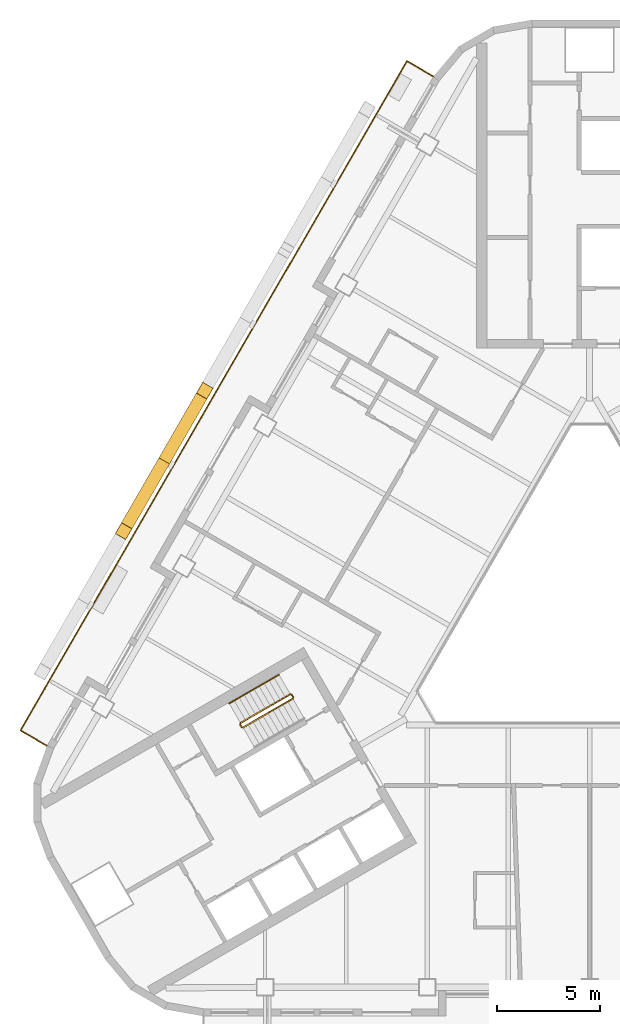
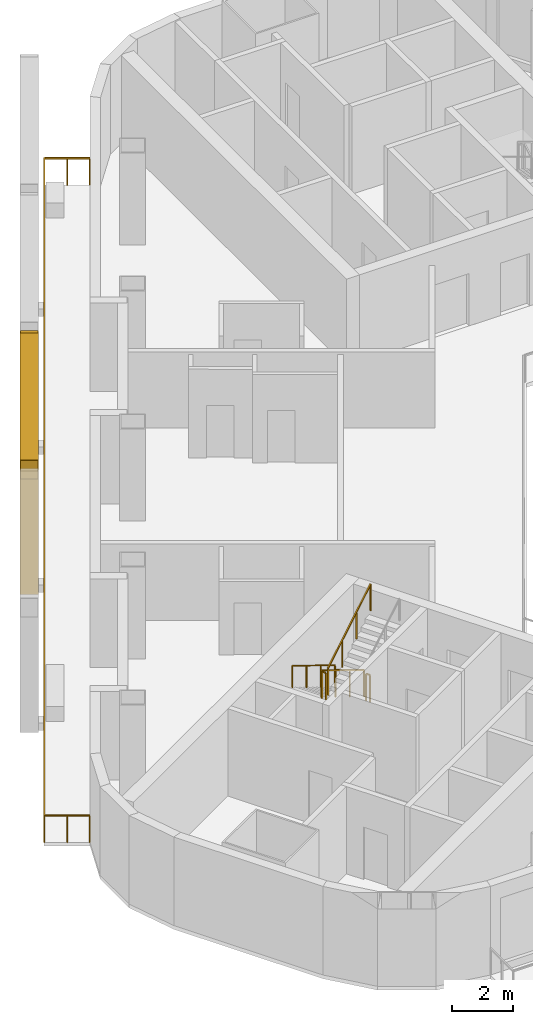
# One storey, part 9 of 13: 6 railings, 2 shading devices.
"""IFC4 building model written with IfcOpenShell, lengths in metres."""

from ifc_helpers import new_model, si_unit, direction, frame, origin, origin_2d, place, context, subcontext, project, spatial, rectangle, hollow_rectangle, circle, extrude, material, material_profile, profile_set, type_object, element, save


model = new_model("IFC4")

# Units and contexts
model_context = context("Model", 3, precision=1e-05, world=origin(), true_north=direction((0.0, 1.0)))
body_context = subcontext(model_context, "Body", "Model", "MODEL_VIEW")
ifc_project = project(units=[si_unit("LENGTHUNIT", "METRE"), si_unit("AREAUNIT", "SQUARE_METRE"), si_unit("VOLUMEUNIT", "CUBIC_METRE"), si_unit("PLANEANGLEUNIT", "RADIAN"), si_unit("MASSUNIT", "GRAM", prefix="KILO")], contexts=[model_context])

# Site, building, storey
site_placement = place(None, origin())
site = spatial("IfcSite", under=ifc_project, at=site_placement, CompositionType="ELEMENT")
building_placement = place(site_placement, origin())
building = spatial("IfcBuilding", under=site, at=building_placement, Name="Apuvela Tower Hotel", CompositionType="ELEMENT")
storey_placement = place(building_placement, frame((0.0, 0.0, 183.60009765625)))
storey = spatial("IfcBuildingStorey", under=building, at=storey_placement, Name="L44", CompositionType="ELEMENT", Elevation=183.60009765625)

# Railings
ifc_material_1 = material(Name="Steel S275 balustrade", Category="steel")
railing_type_1 = type_object("IfcRailingType", Name="COR-GUARD-1100", PredefinedType="GUARDRAIL", material=ifc_material_1)
railing_1_placement = place(storey_placement, frame((-14.569091796875, -3.9658203125, 0.16796875)))
element("IfcRailing", 1, at=railing_1_placement, inside=storey, type_object=railing_type_1, Name="L44 ST2 stair guard 1", PredefinedType="GUARDRAIL", context=body_context, shape_type="SweptSolid", body=[
    extrude(rectangle(XDim=0.048095703125, YDim=0.048095703125, at=origin_2d()), frame((0.0, 0.0, 1.076171875), z_axis=(-0.742390482028, -0.42860119049, 0.514934356695), x_axis=(0.49998411664, -0.866034573852, 0.0)), (0.0, 0.0, 1.0), 3.26611328125),
    extrude(rectangle(XDim=0.0419921875, YDim=0.0419921875, at=origin_2d()), origin(), (0.0, 0.0, 1.0), 1.052001953125),
    extrude(rectangle(XDim=0.0419921875, YDim=0.0419921875, at=origin_2d()), frame((-0.808349609375, -0.466552734375, 0.560546875)), (0.0, 0.0, 1.0), 1.052001953125),
    extrude(rectangle(XDim=0.0419921875, YDim=0.0419921875, at=origin_2d()), frame((-1.616455078125, -0.933349609375, 1.121337890625)), (0.0, 0.0, 1.0), 1.052001953125),
    extrude(rectangle(XDim=0.0419921875, YDim=0.0419921875, at=origin_2d()), frame((-2.4248046875, -1.39990234375, 1.681884765625)), (0.0, 0.0, 1.0), 1.052001953125),
])
railing_2_placement = place(storey_placement, frame((-17.01220703125, -5.43408203125, 1.849853515625)))
element("IfcRailing", 2, at=railing_2_placement, inside=storey, type_object=railing_type_1, Name="L44 ST2 stair guard 2", PredefinedType="GUARDRAIL", context=body_context, shape_type="SweptSolid", body=[
    extrude(rectangle(XDim=0.048095703125, YDim=0.048095703125, at=origin_2d()), frame((0.0, 0.0, 1.076171875), z_axis=(0.499816412211, -0.866131372301, 0.0), x_axis=(0.866131372301, 0.499816412211, 0.0)), (0.0, 0.0, 1.0), 0.14990234375),
    extrude(rectangle(XDim=0.0419921875, YDim=0.0419921875, at=origin_2d()), origin(), (0.0, 0.0, 1.0), 1.052001953125),
    extrude(rectangle(XDim=0.0419921875, YDim=0.0419921875, at=origin_2d()), frame((0.074951171875, -0.1298828125, 0.0)), (0.0, 0.0, 1.0), 1.052001953125),
])
railing_3_placement = place(storey_placement, frame((-16.868896484375, -5.582275390625, 2.01806640625)))
element("IfcRailing", 3, at=railing_3_placement, inside=storey, type_object=railing_type_1, Name="L44 ST2 stair guard 3", PredefinedType="GUARDRAIL", context=body_context, shape_type="SweptSolid", body=[
    extrude(rectangle(XDim=0.048095703125, YDim=0.048095703125, at=origin_2d()), frame((0.0, 0.0, 1.076171875), z_axis=(0.742390482028, 0.42860119049, 0.514934356695), x_axis=(-0.49998411664, 0.866034573852, 0.0)), (0.0, 0.0, 1.0), 3.26611328125),
    extrude(rectangle(XDim=0.0419921875, YDim=0.0419921875, at=origin_2d()), origin(), (0.0, 0.0, 1.0), 1.052001953125),
    extrude(rectangle(XDim=0.0419921875, YDim=0.0419921875, at=origin_2d()), frame((0.808349609375, 0.466552734375, 0.560546875)), (0.0, 0.0, 1.0), 1.052001953125),
    extrude(rectangle(XDim=0.0419921875, YDim=0.0419921875, at=origin_2d()), frame((1.616455078125, 0.933349609375, 1.121337890625)), (0.0, 0.0, 1.0), 1.052001953125),
    extrude(rectangle(XDim=0.0419921875, YDim=0.0419921875, at=origin_2d()), frame((2.4248046875, 1.39990234375, 1.681884765625)), (0.0, 0.0, 1.0), 1.052001953125),
])
railing_4_placement = place(storey_placement, frame((-14.500732421875, -3.984130859375, 0.0)))
element("IfcRailing", 4, at=railing_4_placement, inside=storey, type_object=railing_type_1, Name="L44 ST2 stair guard 4", PredefinedType="GUARDRAIL", context=body_context, shape_type="SweptSolid", body=[
    extrude(rectangle(XDim=0.048095703125, YDim=0.048095703125, at=origin_2d()), frame((0.0, 0.0, 1.076171875), z_axis=(0.499816412211, -0.866131372301, 0.0), x_axis=(0.866131372301, 0.499816412211, 0.0)), (0.0, 0.0, 1.0), 0.14990234375),
    extrude(rectangle(XDim=0.0419921875, YDim=0.0419921875, at=origin_2d()), origin(), (0.0, 0.0, 1.0), 1.052001953125),
    extrude(rectangle(XDim=0.0419921875, YDim=0.0419921875, at=origin_2d()), frame((0.074951171875, -0.1298828125, 0.0)), (0.0, 0.0, 1.0), 1.052001953125),
])
ifc_material_2 = material(Name="Stainless steel 316 handrail", Category="steel")
railing_type_2 = type_object("IfcRailingType", Name="COR-HANDRAIL-900", PredefinedType="HANDRAIL", material=ifc_material_2)
railing_5_placement = place(storey_placement, frame((-15.118896484375, -3.01318359375, 0.16796875)))
element("IfcRailing", 5, at=railing_5_placement, inside=storey, type_object=railing_type_2, Name="L44 ST2 stair handrail 1", PredefinedType="HANDRAIL", context=body_context, shape_type="SweptSolid", body=[
    extrude(circle(Radius=0.02392578125, at=origin_2d()), frame((0.0, 0.0, 0.8759765625), z_axis=(-0.742424030051, -0.428577407461, 0.514905783049), x_axis=(0.49994636267, -0.866056369097, 0.0)), (0.0, 0.0, 1.0), 3.266357421875),
    extrude(rectangle(XDim=0.0419921875, YDim=0.0419921875, at=origin_2d()), origin(), (0.0, 0.0, 1.0), 0.851806640625),
    extrude(rectangle(XDim=0.0419921875, YDim=0.0419921875, at=origin_2d()), frame((-0.808349609375, -0.466552734375, 0.560546875)), (0.0, 0.0, 1.0), 0.851806640625),
    extrude(rectangle(XDim=0.0419921875, YDim=0.0419921875, at=origin_2d()), frame((-1.61669921875, -0.933349609375, 1.121337890625)), (0.0, 0.0, 1.0), 0.851806640625),
    extrude(rectangle(XDim=0.0419921875, YDim=0.0419921875, at=origin_2d()), frame((-2.425048828125, -1.39990234375, 1.681884765625)), (0.0, 0.0, 1.0), 0.851806640625),
])

# Shading devices
ifc_material_3 = material(Name="Aluminium 6063-T6, black anodised", Category="aluminium")
ifc_material_profile = material_profile(ifc_material_3, hollow_rectangle(XDim=0.60009765625, YDim=0.699951171875, WallThickness=0.011962890625, at=origin_2d()), Name="AL BOX 700x600x12")
ifc_profile_set = profile_set([ifc_material_profile], Name="Aluminium 6063-T6, black anodised")
shading_device_type = type_object("IfcShadingDeviceType", Name="ENV-FIN-700x600", PredefinedType="USERDEFINED", material=ifc_profile_set)
shading_device_1_placement = place(storey_placement, frame((-20.70703125, 7.394287109375, -0.10009765625), z_axis=(0.235436388043, 0.407800622186, 0.882195193667), x_axis=(-0.866032218625, 0.499988196164, 0.0)))
element("IfcShadingDevice", 6, at=shading_device_1_placement, inside=storey, type_object=shading_device_type, Name="Lattice fin NW429", ObjectType="FIN", PredefinedType="USERDEFINED", context=body_context, shape_type="SweptSolid", body=[
    extrude(hollow_rectangle(XDim=0.60009765625, YDim=0.699951171875, WallThickness=0.011962890625, at=origin_2d()), origin(), (0.0, 0.0, 1.0), 8.387939453125),
])
shading_device_2_placement = place(storey_placement, frame((-20.70703125, 7.394287109375, -0.10009765625), z_axis=(-0.235461085354, -0.407822092458, 0.882178677019), x_axis=(0.866020906874, -0.500007788796, 0.0)))
element("IfcShadingDevice", 7, at=shading_device_2_placement, inside=storey, type_object=shading_device_type, Name="Lattice fin NW430", ObjectType="FIN", PredefinedType="USERDEFINED", context=body_context, shape_type="SweptSolid", body=[
    extrude(hollow_rectangle(XDim=0.60009765625, YDim=0.699951171875, WallThickness=0.011962890625, at=origin_2d()), origin(), (0.0, 0.0, 1.0), 8.38818359375),
])

# Railing
ifc_material_4 = material(Name="Stainless steel 316 rail with laminated glass infill", Category="steel")
railing_type_3 = type_object("IfcRailingType", Name="ENV-GUARD-1100", PredefinedType="GUARDRAIL", material=ifc_material_4)
railing_6_placement = place(storey_placement, frame((-7.59228515625, 26.110107421875, 0.0)))
element("IfcRailing", 8, at=railing_6_placement, inside=storey, type_object=railing_type_3, Name="Balcony guard NW L44", PredefinedType="GUARDRAIL", context=body_context, shape_type="SweptSolid", body=[
    extrude(rectangle(XDim=0.050048828125, YDim=0.050048828125, at=origin_2d()), frame((0.0, 0.0, 1.0751953125), z_axis=(-0.86599040064, 0.500060622324, 0.0), x_axis=(-0.500060622324, -0.86599040064, 0.0)), (0.0, 0.0, 1.0), 1.499755859375),
    extrude(rectangle(XDim=0.050048828125, YDim=0.050048828125, at=origin_2d()), frame((-1.298828125, 0.75, 1.0751953125), z_axis=(-0.500000437506, -0.86602515119, 0.0), x_axis=(0.86602515119, -0.500000437506, 0.0)), (0.0, 0.0, 1.0), 37.6318359375),
    extrude(rectangle(XDim=0.050048828125, YDim=0.050048828125, at=origin_2d()), frame((-20.11474609375, -31.840087890625, 1.0751953125), z_axis=(0.866031096941, -0.499990139034, 0.0), x_axis=(0.499990139034, 0.866031096941, 0.0)), (0.0, 0.0, 1.0), 1.5),
    extrude(rectangle(XDim=0.0400390625, YDim=0.0400390625, at=origin_2d()), origin(), (0.0, 0.0, 1.0), 1.050048828125),
    extrude(rectangle(XDim=0.0400390625, YDim=0.0400390625, at=origin_2d()), frame((-0.6494140625, 0.375, 0.0)), (0.0, 0.0, 1.0), 1.050048828125),
    extrude(rectangle(XDim=0.0400390625, YDim=0.0400390625, at=origin_2d()), frame((-1.298828125, 0.75, 0.0)), (0.0, 0.0, 1.0), 1.050048828125),
    extrude(rectangle(XDim=0.0400390625, YDim=0.0400390625, at=origin_2d()), frame((-1.88671875, -0.2685546875, 0.0)), (0.0, 0.0, 1.0), 1.050048828125),
    extrude(rectangle(XDim=0.0400390625, YDim=0.0400390625, at=origin_2d()), frame((-2.474853515625, -1.286865234375, 0.0)), (0.0, 0.0, 1.0), 1.050048828125),
    extrude(rectangle(XDim=0.0400390625, YDim=0.0400390625, at=origin_2d()), frame((-3.062744140625, -2.305419921875, 0.0)), (0.0, 0.0, 1.0), 1.050048828125),
    extrude(rectangle(XDim=0.0400390625, YDim=0.0400390625, at=origin_2d()), frame((-3.65087890625, -3.32373046875, 0.0)), (0.0, 0.0, 1.0), 1.050048828125),
    extrude(rectangle(XDim=0.0400390625, YDim=0.0400390625, at=origin_2d()), frame((-4.23876953125, -4.34228515625, 0.0)), (0.0, 0.0, 1.0), 1.050048828125),
    extrude(rectangle(XDim=0.0400390625, YDim=0.0400390625, at=origin_2d()), frame((-4.826904296875, -5.360595703125, 0.0)), (0.0, 0.0, 1.0), 1.050048828125),
    extrude(rectangle(XDim=0.0400390625, YDim=0.0400390625, at=origin_2d()), frame((-5.414794921875, -6.379150390625, 0.0)), (0.0, 0.0, 1.0), 1.050048828125),
    extrude(rectangle(XDim=0.0400390625, YDim=0.0400390625, at=origin_2d()), frame((-6.0029296875, -7.3974609375, 0.0)), (0.0, 0.0, 1.0), 1.050048828125),
    extrude(rectangle(XDim=0.0400390625, YDim=0.0400390625, at=origin_2d()), frame((-6.5908203125, -8.416015625, 0.0)), (0.0, 0.0, 1.0), 1.050048828125),
    extrude(rectangle(XDim=0.0400390625, YDim=0.0400390625, at=origin_2d()), frame((-7.1787109375, -9.434326171875, 0.0)), (0.0, 0.0, 1.0), 1.050048828125),
    extrude(rectangle(XDim=0.0400390625, YDim=0.0400390625, at=origin_2d()), frame((-7.766845703125, -10.452880859375, 0.0)), (0.0, 0.0, 1.0), 1.050048828125),
    extrude(rectangle(XDim=0.0400390625, YDim=0.0400390625, at=origin_2d()), frame((-8.354736328125, -11.47119140625, 0.0)), (0.0, 0.0, 1.0), 1.050048828125),
    extrude(rectangle(XDim=0.0400390625, YDim=0.0400390625, at=origin_2d()), frame((-8.94287109375, -12.48974609375, 0.0)), (0.0, 0.0, 1.0), 1.050048828125),
    extrude(rectangle(XDim=0.0400390625, YDim=0.0400390625, at=origin_2d()), frame((-9.53076171875, -13.508056640625, 0.0)), (0.0, 0.0, 1.0), 1.050048828125),
    extrude(rectangle(XDim=0.0400390625, YDim=0.0400390625, at=origin_2d()), frame((-10.118896484375, -14.526611328125, 0.0)), (0.0, 0.0, 1.0), 1.050048828125),
    extrude(rectangle(XDim=0.0400390625, YDim=0.0400390625, at=origin_2d()), frame((-10.706787109375, -15.544921875, 0.0)), (0.0, 0.0, 1.0), 1.050048828125),
    extrude(rectangle(XDim=0.0400390625, YDim=0.0400390625, at=origin_2d()), frame((-11.294677734375, -16.5634765625, 0.0)), (0.0, 0.0, 1.0), 1.050048828125),
    extrude(rectangle(XDim=0.0400390625, YDim=0.0400390625, at=origin_2d()), frame((-11.8828125, -17.58203125, 0.0)), (0.0, 0.0, 1.0), 1.050048828125),
    extrude(rectangle(XDim=0.0400390625, YDim=0.0400390625, at=origin_2d()), frame((-12.470703125, -18.600341796875, 0.0)), (0.0, 0.0, 1.0), 1.050048828125),
    extrude(rectangle(XDim=0.0400390625, YDim=0.0400390625, at=origin_2d()), frame((-13.058837890625, -19.618896484375, 0.0)), (0.0, 0.0, 1.0), 1.050048828125),
    extrude(rectangle(XDim=0.0400390625, YDim=0.0400390625, at=origin_2d()), frame((-13.646728515625, -20.63720703125, 0.0)), (0.0, 0.0, 1.0), 1.050048828125),
    extrude(rectangle(XDim=0.0400390625, YDim=0.0400390625, at=origin_2d()), frame((-14.23486328125, -21.65576171875, 0.0)), (0.0, 0.0, 1.0), 1.050048828125),
    extrude(rectangle(XDim=0.0400390625, YDim=0.0400390625, at=origin_2d()), frame((-14.82275390625, -22.674072265625, 0.0)), (0.0, 0.0, 1.0), 1.050048828125),
    extrude(rectangle(XDim=0.0400390625, YDim=0.0400390625, at=origin_2d()), frame((-15.41064453125, -23.692626953125, 0.0)), (0.0, 0.0, 1.0), 1.050048828125),
    extrude(rectangle(XDim=0.0400390625, YDim=0.0400390625, at=origin_2d()), frame((-15.998779296875, -24.7109375, 0.0)), (0.0, 0.0, 1.0), 1.050048828125),
    extrude(rectangle(XDim=0.0400390625, YDim=0.0400390625, at=origin_2d()), frame((-16.586669921875, -25.7294921875, 0.0)), (0.0, 0.0, 1.0), 1.050048828125),
    extrude(rectangle(XDim=0.0400390625, YDim=0.0400390625, at=origin_2d()), frame((-17.1748046875, -26.747802734375, 0.0)), (0.0, 0.0, 1.0), 1.050048828125),
    extrude(rectangle(XDim=0.0400390625, YDim=0.0400390625, at=origin_2d()), frame((-17.7626953125, -27.766357421875, 0.0)), (0.0, 0.0, 1.0), 1.050048828125),
    extrude(rectangle(XDim=0.0400390625, YDim=0.0400390625, at=origin_2d()), frame((-18.350830078125, -28.78466796875, 0.0)), (0.0, 0.0, 1.0), 1.050048828125),
    extrude(rectangle(XDim=0.0400390625, YDim=0.0400390625, at=origin_2d()), frame((-18.938720703125, -29.80322265625, 0.0)), (0.0, 0.0, 1.0), 1.050048828125),
    extrude(rectangle(XDim=0.0400390625, YDim=0.0400390625, at=origin_2d()), frame((-19.52685546875, -30.821533203125, 0.0)), (0.0, 0.0, 1.0), 1.050048828125),
    extrude(rectangle(XDim=0.0400390625, YDim=0.0400390625, at=origin_2d()), frame((-20.11474609375, -31.840087890625, 0.0)), (0.0, 0.0, 1.0), 1.050048828125),
    extrude(rectangle(XDim=0.0400390625, YDim=0.0400390625, at=origin_2d()), frame((-19.46533203125, -32.215087890625, 0.0)), (0.0, 0.0, 1.0), 1.050048828125),
    extrude(rectangle(XDim=0.0400390625, YDim=0.0400390625, at=origin_2d()), frame((-18.815673828125, -32.590087890625, 0.0)), (0.0, 0.0, 1.0), 1.050048828125),
])

save(model, "model.ifc")
